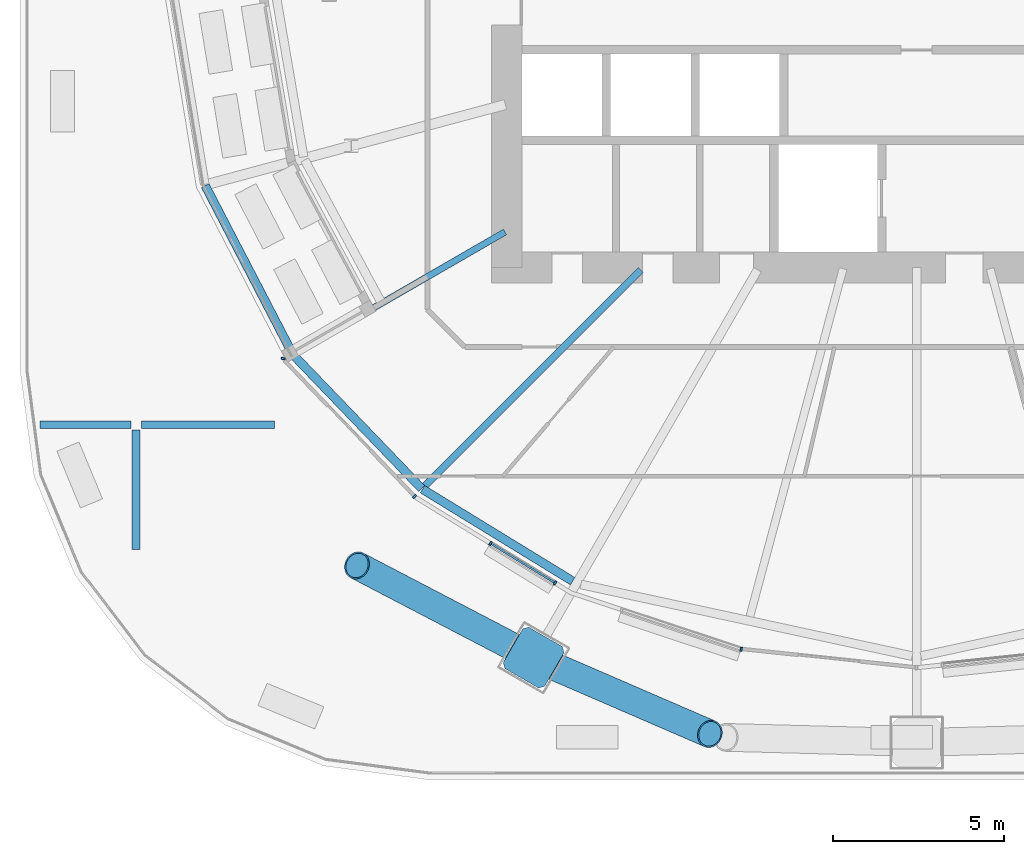
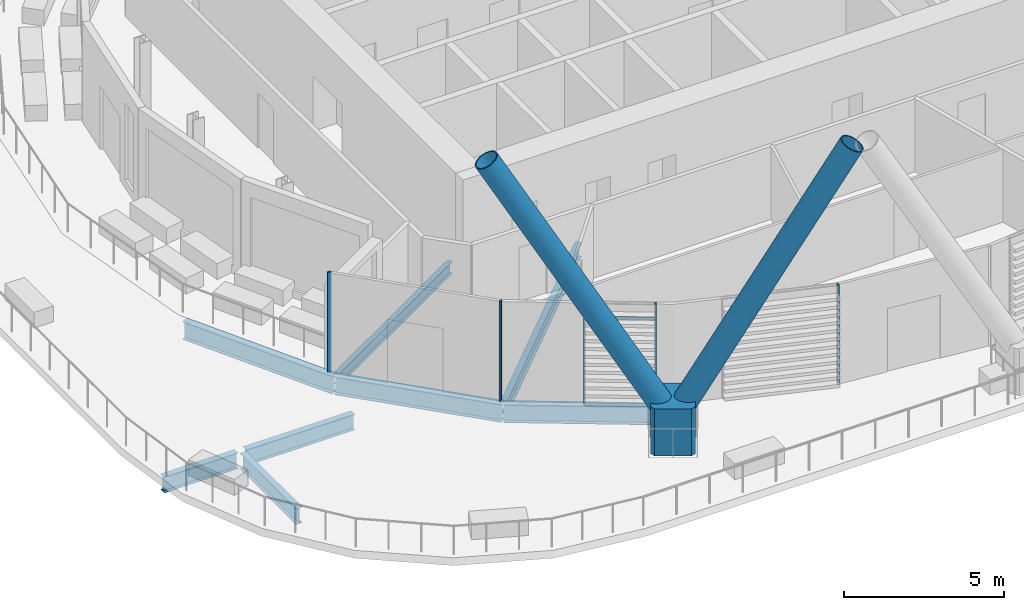
# One storey, part 3 of 47: 9 members, 8 beams, 1 element without a shape of its own.
"""IFC4 building model written with IfcOpenShell, lengths in metres."""

from ifc_helpers import new_model, si_unit, direction, frame, origin, origin_2d, place, context, subcontext, project, spatial, polyline, rectangle, hollow_circle, i_section, outline, extrude, material, material_profile, profile_set, type_object, element, aggregate, save


model = new_model("IFC4")

# Units and contexts
model_context = context("Model", 3, precision=1e-05, world=origin(), true_north=direction((0.0, 1.0)))
body_context = subcontext(model_context, "Body", "Model", "MODEL_VIEW")
ifc_project = project(units=[si_unit("LENGTHUNIT", "METRE"), si_unit("AREAUNIT", "SQUARE_METRE"), si_unit("VOLUMEUNIT", "CUBIC_METRE"), si_unit("PLANEANGLEUNIT", "RADIAN"), si_unit("MASSUNIT", "GRAM", prefix="KILO")], contexts=[model_context])

# Site, building, storey
site_placement = place(None, origin())
site = spatial("IfcSite", under=ifc_project, at=site_placement, CompositionType="ELEMENT")
building_placement = place(site_placement, origin())
building = spatial("IfcBuilding", under=site, at=building_placement, Name="Rimbun Link Towers", CompositionType="ELEMENT")
storey_placement = place(building_placement, frame((0.0, 0.0, 30.0)))
storey = spatial("IfcBuildingStorey", under=building, at=storey_placement, Name="L06", CompositionType="ELEMENT", Elevation=30.0)

# Curtain wall, members
ifc_material_1 = material(Name="Aluminium 6063-T6 and low-iron glass", Category="aluminium")
curtain_wall_type = type_object("IfcCurtainWallType", Name="CW1 unitised vision wall", PredefinedType="NOTDEFINED", material=ifc_material_1)
curtain_wall_placement = place(storey_placement, origin())
curtain_wall = element("IfcCurtainWall", 1, at=curtain_wall_placement, inside=storey, type_object=curtain_wall_type, Name="CW1 L06 T1", PredefinedType="NOTDEFINED")
ifc_material_2 = material(Name="Aluminium 6063-T6", Category="aluminium")
ifc_material_profile_1 = material_profile(ifc_material_2, rectangle(XDim=0.1201171875, YDim=0.06005859375, at=origin_2d()), Name="MULLION 60X120")
ifc_profile_set_1 = profile_set([ifc_material_profile_1], Name="Aluminium 6063-T6")
member_type_1 = type_object("IfcMemberType", Name="CW1 mullion 60X120", PredefinedType="MULLION", material=ifc_profile_set_1)
member_1_placement = place(storey_placement, frame((-46.4541015625, -14.702392578125, 0.0), z_axis=(0.0, 0.0, 1.0), x_axis=(-0.721844292424, -0.692055501744, 0.0)))
member_1 = element("IfcMember", 2, at=member_1_placement, type_object=member_type_1, Name="CW1 mullion", PredefinedType="MULLION", context=body_context, shape_type="SweptSolid", body=[
    extrude(rectangle(XDim=0.1201171875, YDim=0.06005859375, at=origin_2d()), origin(), (0.0, 0.0, 1.0), 3.800048828125),
])
member_2_placement = place(storey_placement, frame((-50.294189453125, -10.663818359375, 0.0), z_axis=(0.0, 0.0, 1.0), x_axis=(-0.990014819321, 0.140963319788, 0.0)))
member_2 = element("IfcMember", 3, at=member_2_placement, type_object=member_type_1, Name="CW1 mullion", PredefinedType="MULLION", context=body_context, shape_type="SweptSolid", body=[
    extrude(rectangle(XDim=0.1201171875, YDim=0.06005859375, at=origin_2d()), origin(), (0.0, 0.0, 1.0), 3.800048828125),
])
member_3_placement = place(storey_placement, frame((-42.336181640625, -17.23291015625, 0.0), z_axis=(0.0, 0.0, 1.0), x_axis=(-0.523232417417, -0.85219002421, 0.0)))
member_3 = element("IfcMember", 4, at=member_3_placement, type_object=member_type_1, Name="CW1 mullion", PredefinedType="MULLION", context=body_context, shape_type="SweptSolid", body=[
    extrude(rectangle(XDim=0.1201171875, YDim=0.06005859375, at=origin_2d()), origin(), (0.0, 0.0, 1.0), 3.800048828125),
])
member_4_placement = place(storey_placement, frame((-44.2265625, -16.072265625, 0.0), z_axis=(0.0, 0.0, 1.0), x_axis=(-0.523232417417, -0.85219002421, 0.0)))
member_4 = element("IfcMember", 5, at=member_4_placement, type_object=member_type_1, Name="CW1 mullion", PredefinedType="MULLION", context=body_context, shape_type="SweptSolid", body=[
    extrude(rectangle(XDim=0.1201171875, YDim=0.06005859375, at=origin_2d()), origin(), (0.0, 0.0, 1.0), 3.800048828125),
])
member_5_placement = place(storey_placement, frame((-36.884521484375, -19.17333984375, 0.0), z_axis=(0.0, 0.0, 1.0), x_axis=(-0.210876994137, -0.97751260521, 0.0)))
member_5 = element("IfcMember", 6, at=member_5_placement, type_object=member_type_1, Name="CW1 mullion", PredefinedType="MULLION", context=body_context, shape_type="SweptSolid", body=[
    extrude(rectangle(XDim=0.1201171875, YDim=0.06005859375, at=origin_2d()), origin(), (0.0, 0.0, 1.0), 3.800048828125),
])
ifc_material_3 = material(Name="Aluminium 6063-T6", Category="aluminium")
ifc_material_profile_2 = material_profile(ifc_material_3, rectangle(XDim=0.06005859375, YDim=0.1201171875, at=origin_2d()), Name="TRANSOM 60X120")
ifc_profile_set_2 = profile_set([ifc_material_profile_2], Name="Aluminium 6063-T6")
member_type_2 = type_object("IfcMemberType", Name="CW1 transom 60X120", PredefinedType="USERDEFINED", material=ifc_profile_set_2)
member_6_placement = place(storey_placement, frame((-42.360595703125, -17.215576171875, 3.199951171875), z_axis=(-0.852228740187, 0.523169355371, 0.0), x_axis=(-0.523169355371, -0.852228740187, 0.0)))
member_6 = element("IfcMember", 7, at=member_6_placement, type_object=member_type_2, Name="CW1 transom", ObjectType="TRANSOM", PredefinedType="USERDEFINED", context=body_context, shape_type="SweptSolid", body=[
    extrude(rectangle(XDim=0.06005859375, YDim=0.1201171875, at=origin_2d()), origin(), (0.0, 0.0, 1.0), 2.158203125),
])
aggregate(curtain_wall, [member_1, member_2, member_3, member_4, member_5, member_6])

# Members
ifc_material_4 = material(Name="Steel S460NH", Category="steel")
ifc_material_profile_3 = material_profile(ifc_material_4, hollow_circle(Radius=0.406494140625, WallThickness=0.0400390625, at=origin_2d()), Name="Diagrid diagonal CHS 813x40")
ifc_profile_set_3 = profile_set([ifc_material_profile_3], Name="Steel S460NH")
member_type_3 = type_object("IfcMemberType", Name="Diagrid diagonal CHS 813x40", PredefinedType="BRACE", material=ifc_profile_set_3)
member_7_placement = place(storey_placement, frame((-43.183349609375, -19.30224609375, 1.33251953125), z_axis=(-0.444435052233, 0.231886784036, 0.865277992171), x_axis=(-0.462577964865, -0.886578607018, 0.0)))
element("IfcMember", 8, at=member_7_placement, inside=storey, type_object=member_type_3, Name="Diagrid diagonal T1 L06-L09 16a", PredefinedType="BRACE", context=body_context, shape_type="SweptSolid", body=[
    extrude(hollow_circle(Radius=0.406494140625, WallThickness=0.0400390625, at=origin_2d()), origin(), (0.0, 0.0, 1.0), 11.134765625),
])
member_8_placement = place(storey_placement, frame((-42.7373046875, -19.514892578125, 1.33642578125), z_axis=(0.447630338093, -0.193694931894, 0.872988747795), x_axis=(0.397127145688, 0.917763602546, 0.0)))
element("IfcMember", 9, at=member_8_placement, inside=storey, type_object=member_type_3, Name="Diagrid diagonal T1 L06-L09 16b", PredefinedType="BRACE", context=body_context, shape_type="SweptSolid", body=[
    extrude(hollow_circle(Radius=0.406494140625, WallThickness=0.0400390625, at=origin_2d()), origin(), (0.0, 0.0, 1.0), 11.027587890625),
])
ifc_material_5 = material(Name="Cast steel G20Mn5+QT, Rp0.2 300 MPa", Category="steel")
ifc_material_profile_4 = material_profile(ifc_material_5, outline(polyline([(0.699951171875, -0.570068359375), (0.699951171875, 0.570068359375), (0.570068359375, 0.699951171875), (-0.570068359375, 0.699951171875), (-0.699951171875, 0.570068359375), (-0.699951171875, -0.570068359375), (-0.570068359375, -0.699951171875), (0.570068359375, -0.699951171875), (0.699951171875, -0.570068359375)])), Name="NODE 1400x1400")
ifc_profile_set_4 = profile_set([ifc_material_profile_4], Name="Cast steel G20Mn5+QT, Rp0.2 300 MPa")
member_type_4 = type_object("IfcMemberType", Name="Diagrid node cast 1400", PredefinedType="USERDEFINED", material=ifc_profile_set_4)
member_9_placement = place(storey_placement, frame((-42.961181640625, -19.418212890625, 0.0), z_axis=(0.0, 0.0, 1.0), x_axis=(-0.5, -0.866025403784, 0.0)))
element("IfcMember", 10, at=member_9_placement, inside=storey, type_object=member_type_4, Name="Diagrid node L06 16", ObjectType="Diagrid node", PredefinedType="USERDEFINED", context=body_context, shape_type="SweptSolid", body=[
    extrude(outline(polyline([(0.699951171875, -0.570068359375), (0.699951171875, 0.570068359375), (0.570068359375, 0.699951171875), (-0.570068359375, 0.699951171875), (-0.699951171875, 0.570068359375), (-0.699951171875, -0.570068359375), (-0.570068359375, -0.699951171875), (0.570068359375, -0.699951171875), (0.699951171875, -0.570068359375)])), origin(), (0.0, 0.0, 1.0), 1.800048828125),
])

# Beams
ifc_material_6 = material(Name="Steel S355J2", Category="steel")
ifc_material_profile_5 = material_profile(ifc_material_6, i_section(OverallWidth=0.18994140625, OverallDepth=0.453369140625, WebThickness=0.008544921875, FlangeThickness=0.0126953125, at=origin_2d()), Name="UB 457x191x67")
ifc_profile_set_5 = profile_set([ifc_material_profile_5], Name="Steel S355J2")
beam_type_1 = type_object("IfcBeamType", Name="UB 457x191x67", PredefinedType="BEAM", material=ifc_profile_set_5)
beam_1_placement = place(storey_placement, frame((-43.79833984375, -6.9560546875, -0.526611328125), z_axis=(-0.866023453068, -0.500003378725, 0.0), x_axis=(0.500003378725, -0.866023453068, 0.0)))
element("IfcBeam", 11, at=beam_1_placement, inside=storey, type_object=beam_type_1, Name="Radial beam T1 L06 14", PredefinedType="BEAM", context=body_context, shape_type="SweptSolid", body=[
    extrude(i_section(OverallWidth=0.18994140625, OverallDepth=0.453369140625, WebThickness=0.008544921875, FlangeThickness=0.0126953125, at=origin_2d()), origin(), (0.0, 0.0, 1.0), 7.04638671875),
])
ifc_material_7 = material(Name="Steel S355J2", Category="steel")
ifc_material_profile_6 = material_profile(ifc_material_7, i_section(OverallWidth=0.209228515625, OverallDepth=0.533203125, WebThickness=0.010009765625, FlangeThickness=0.015625, at=origin_2d()), Name="UB 533x210x92")
ifc_profile_set_6 = profile_set([ifc_material_profile_6], Name="Steel S355J2")
beam_type_2 = type_object("IfcBeamType", Name="UB 533x210x92", PredefinedType="BEAM", material=ifc_profile_set_6)
beam_2_placement = place(storey_placement, frame((-39.82470703125, -8.07470703125, -0.56640625), z_axis=(-0.707106781187, -0.707106781187, 0.0), x_axis=(0.707106781187, -0.707106781187, 0.0)))
element("IfcBeam", 12, at=beam_2_placement, inside=storey, type_object=beam_type_2, Name="Radial beam T1 L06 15", PredefinedType="BEAM", context=body_context, shape_type="SweptSolid", body=[
    extrude(i_section(OverallWidth=0.209228515625, OverallDepth=0.533203125, WebThickness=0.010009765625, FlangeThickness=0.015625, at=origin_2d()), origin(), (0.0, 0.0, 1.0), 8.9287109375),
])
ifc_material_8 = material(Name="Steel S355J2", Category="steel")
ifc_material_profile_7 = material_profile(ifc_material_8, i_section(OverallWidth=0.2275390625, OverallDepth=0.6025390625, WebThickness=0.010498046875, FlangeThickness=0.014892578125, at=origin_2d()), Name="UB 610x229x101")
ifc_profile_set_7 = profile_set([ifc_material_profile_7], Name="Steel S355J2")
beam_type_3 = type_object("IfcBeamType", Name="UB 610x229x101", PredefinedType="BEAM", material=ifc_profile_set_7)
beam_3_placement = place(storey_placement, frame((-57.42041015625, -12.60009765625, -0.601318359375), z_axis=(1.0, 0.0, 0.0), x_axis=(0.0, 1.0, 0.0)))
element("IfcBeam", 13, at=beam_3_placement, inside=storey, type_object=beam_type_3, Name="Grid beam L06 -12.6", PredefinedType="BEAM", context=body_context, shape_type="SweptSolid", body=[
    extrude(i_section(OverallWidth=0.2275390625, OverallDepth=0.6025390625, WebThickness=0.010498046875, FlangeThickness=0.014892578125, at=origin_2d()), origin(), (0.0, 0.0, 1.0), 2.666748046875),
])
beam_4_placement = place(storey_placement, frame((-54.4462890625, -12.60009765625, -0.601318359375), z_axis=(1.0, 0.0, 0.0), x_axis=(0.0, 1.0, 0.0)))
element("IfcBeam", 14, at=beam_4_placement, inside=storey, type_object=beam_type_3, Name="Grid beam L06 -12.6", PredefinedType="BEAM", context=body_context, shape_type="SweptSolid", body=[
    extrude(i_section(OverallWidth=0.2275390625, OverallDepth=0.6025390625, WebThickness=0.010498046875, FlangeThickness=0.014892578125, at=origin_2d()), origin(), (0.0, 0.0, 1.0), 3.89990234375),
])
beam_5_placement = place(storey_placement, frame((-54.60009765625, -16.257080078125, -0.601318359375), z_axis=(0.0, 1.0, 0.0), x_axis=(-1.0, 0.0, 0.0)))
element("IfcBeam", 15, at=beam_5_placement, inside=storey, type_object=beam_type_3, Name="Grid beam L06 -54.6", PredefinedType="BEAM", context=body_context, shape_type="SweptSolid", body=[
    extrude(i_section(OverallWidth=0.2275390625, OverallDepth=0.6025390625, WebThickness=0.010498046875, FlangeThickness=0.014892578125, at=origin_2d()), origin(), (0.0, 0.0, 1.0), 3.5),
])
ifc_material_9 = material(Name="Steel S355J2", Category="steel")
ifc_material_profile_8 = material_profile(ifc_material_9, i_section(OverallWidth=0.253662109375, OverallDepth=0.68359375, WebThickness=0.012451171875, FlangeThickness=0.01904296875, at=origin_2d()), Name="UB 686x254x140")
ifc_profile_set_8 = profile_set([ifc_material_profile_8], Name="Steel S355J2")
beam_type_4 = type_object("IfcBeamType", Name="UB 686x254x140", PredefinedType="BEAM", material=ifc_profile_set_8)
beam_6_placement = place(storey_placement, frame((-52.576904296875, -5.601806640625, -0.641845703125), z_axis=(0.460697296519, -0.887557322645, 0.0), x_axis=(0.887557322645, 0.460697296519, 0.0)))
element("IfcBeam", 16, at=beam_6_placement, inside=storey, type_object=beam_type_4, Name="Edge beam T1 L06 13 terrace", PredefinedType="BEAM", context=body_context, shape_type="SweptSolid", body=[
    extrude(i_section(OverallWidth=0.253662109375, OverallDepth=0.68359375, WebThickness=0.012451171875, FlangeThickness=0.01904296875, at=origin_2d()), origin(), (0.0, 0.0, 1.0), 5.54833984375),
])
beam_7_placement = place(storey_placement, frame((-49.99853515625, -10.557373046875, -0.641845703125), z_axis=(0.692988130851, -0.720948992995, 0.0), x_axis=(0.720948992995, 0.692988130851, 0.0)))
element("IfcBeam", 17, at=beam_7_placement, inside=storey, type_object=beam_type_4, Name="Edge beam T1 L06 14", PredefinedType="BEAM", context=body_context, shape_type="SweptSolid", body=[
    extrude(i_section(OverallWidth=0.253662109375, OverallDepth=0.68359375, WebThickness=0.012451171875, FlangeThickness=0.01904296875, at=origin_2d()), origin(), (0.0, 0.0, 1.0), 5.42236328125),
])
beam_8_placement = place(storey_placement, frame((-46.21435546875, -14.488037109375, -0.641845703125), z_axis=(0.852707458773, -0.522388734328, 0.0), x_axis=(0.522388734328, 0.852707458773, 0.0)))
element("IfcBeam", 18, at=beam_8_placement, inside=storey, type_object=beam_type_4, Name="Edge beam T1 L06 15", PredefinedType="BEAM", context=body_context, shape_type="SweptSolid", body=[
    extrude(i_section(OverallWidth=0.253662109375, OverallDepth=0.68359375, WebThickness=0.012451171875, FlangeThickness=0.01904296875, at=origin_2d()), origin(), (0.0, 0.0, 1.0), 5.153076171875),
])

save(model, "model.ifc")
